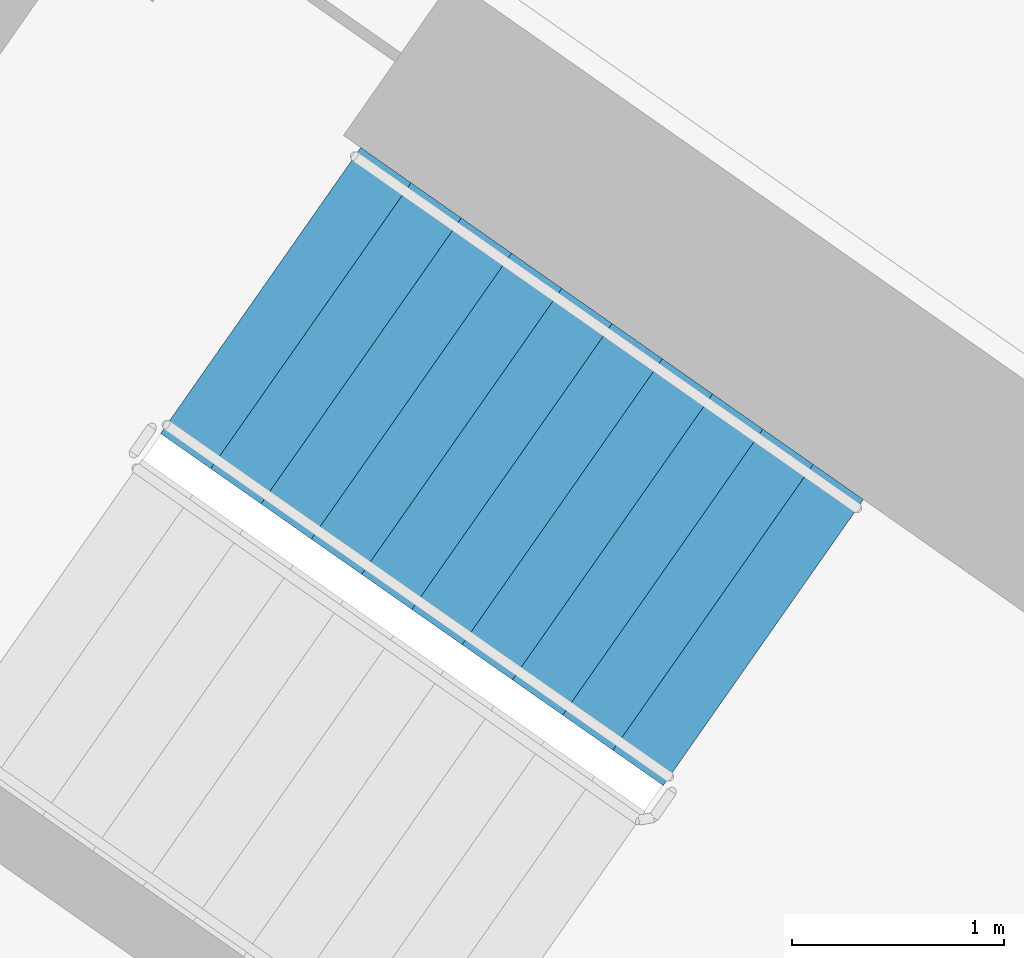
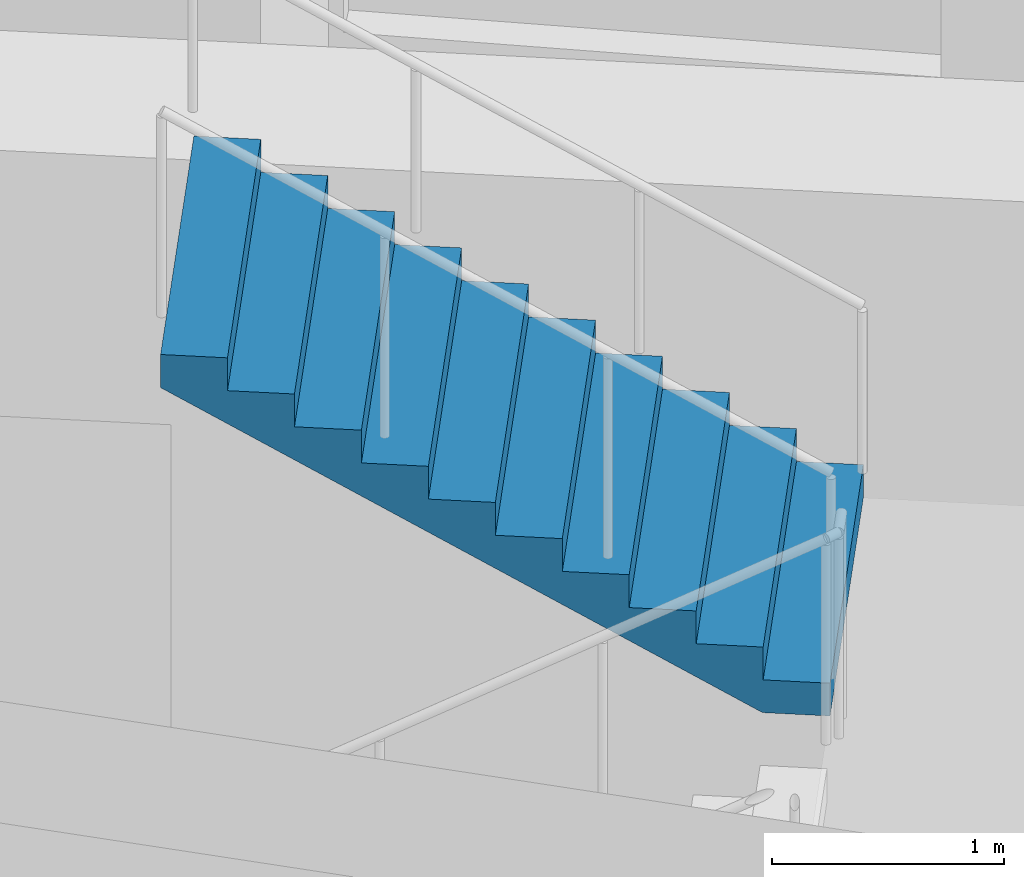
# One storey, part 12 of 29: 1 stair flight, 1 element without a shape of its own.
"""IFC4 building model written with IfcOpenShell, lengths in metres."""

from ifc_helpers import new_model, si_unit, direction, frame, origin, place, context, subcontext, project, spatial, faceted_brep, material, type_object, element, aggregate, save


model = new_model("IFC4")

# Units and contexts
model_context = context("Model", 3, precision=1e-05, world=origin(), true_north=direction((0.0, 1.0)))
body_context = subcontext(model_context, "Body", "Model", "MODEL_VIEW")
ifc_project = project(units=[si_unit("LENGTHUNIT", "METRE"), si_unit("AREAUNIT", "SQUARE_METRE"), si_unit("VOLUMEUNIT", "CUBIC_METRE"), si_unit("PLANEANGLEUNIT", "RADIAN"), si_unit("MASSUNIT", "GRAM", prefix="KILO")], contexts=[model_context])

# Site, building, storey
site_placement = place(None, origin())
site = spatial("IfcSite", under=ifc_project, at=site_placement, CompositionType="ELEMENT")
building_placement = place(site_placement, origin())
building = spatial("IfcBuilding", under=site, at=building_placement, Name="Qamariyya Broadcast Tower", CompositionType="ELEMENT")
storey_placement = place(building_placement, frame((0.0, 0.0, 132.89990234375)))
storey = spatial("IfcBuildingStorey", under=building, at=storey_placement, Name="L30", CompositionType="ELEMENT", Elevation=132.89990234375)

# Stair, stair flight
ifc_material = material(Name="Concrete C50/60", Category="concrete")
stair_type = type_object("IfcStairType", Name="Exit stair 22 risers of 173 mm", PredefinedType="HALF_TURN_STAIR", material=ifc_material)
stair_placement = place(storey_placement, origin())
stair = element("IfcStair", 1, at=stair_placement, inside=storey, type_object=stair_type, Name="L30 Stair W2", PredefinedType="HALF_TURN_STAIR")
stair_flight_type = type_object("IfcStairFlightType", Name="Exit stair flight 11 risers of 173 mm", PredefinedType="STRAIGHT", material=ifc_material)
stair_flight_placement = place(storey_placement, frame((-38.18310546875, -49.3486328125, 1.900146484375), z_axis=(0.0, 0.0, 1.0), x_axis=(-0.819152044289, 0.573576436351, 0.0)))
stair_flight = element("IfcStairFlight", 2, at=stair_flight_placement, type_object=stair_flight_type, Name="ST-W2 flight 2", NumberOfRisers=11, NumberOfTreads=10, PredefinedType="STRAIGHT", RiserHeight=0.172727273, TreadLength=0.29, context=body_context, shape_type="Brep", body=[
    faceted_brep([(0.0, 0.824951171875, 0.0), (0.0, 0.824951171875, 0.172607421875), (0.2900390625, 0.824951171875, 0.172607421875), (0.2900390625, 0.824951171875, 0.345458984375), (0.580078125, 0.824951171875, 0.345458984375), (0.580078125, 0.824951171875, 0.51806640625), (0.8701171875, 0.824951171875, 0.51806640625), (0.8701171875, 0.824951171875, 0.69091796875), (1.159912109375, 0.824951171875, 0.69091796875), (1.159912109375, 0.824951171875, 0.863525390625), (1.449951171875, 0.824951171875, 0.863525390625), (1.449951171875, 0.824951171875, 1.036376953125), (1.739990234375, 0.824951171875, 1.036376953125), (1.739990234375, 0.824951171875, 1.208984375), (2.030029296875, 0.824951171875, 1.208984375), (2.030029296875, 0.824951171875, 1.3818359375), (2.320068359375, 0.824951171875, 1.3818359375), (2.320068359375, 0.824951171875, 1.554443359375), (2.610107421875, 0.824951171875, 1.554443359375), (2.610107421875, 0.824951171875, 1.727294921875), (2.89990234375, 0.824951171875, 1.727294921875), (2.89990234375, 0.824951171875, 1.552734375), (0.29296875, 0.824951171875, 0.0), (0.29296875, -0.824951171875, 0.0), (2.89990234375, -0.824951171875, 1.552734375), (2.89990234375, -0.824951171875, 1.727294921875), (2.610107421875, -0.824951171875, 1.727294921875), (2.610107421875, -0.824951171875, 1.554443359375), (2.320068359375, -0.824951171875, 1.554443359375), (2.320068359375, -0.824951171875, 1.3818359375), (2.030029296875, -0.824951171875, 1.3818359375), (2.030029296875, -0.824951171875, 1.208984375), (1.739990234375, -0.824951171875, 1.208984375), (1.739990234375, -0.824951171875, 1.036376953125), (1.449951171875, -0.824951171875, 1.036376953125), (1.449951171875, -0.824951171875, 0.863525390625), (1.159912109375, -0.824951171875, 0.863525390625), (1.159912109375, -0.824951171875, 0.69091796875), (0.8701171875, -0.824951171875, 0.69091796875), (0.8701171875, -0.824951171875, 0.51806640625), (0.580078125, -0.824951171875, 0.51806640625), (0.580078125, -0.824951171875, 0.345458984375), (0.2900390625, -0.824951171875, 0.345458984375), (0.2900390625, -0.824951171875, 0.172607421875), (0.0, -0.824951171875, 0.172607421875), (0.0, -0.824951171875, 0.0), (0.0, 0.10009765625, 0.0), (0.0, 0.086669921875, 0.0), (0.0, 0.0732421875, 0.0), (0.0, 0.06005859375, 0.0), (0.0, 0.046630859375, 0.0), (0.0, 0.033447265625, 0.0), (0.0, 0.02001953125, 0.0), (0.0, 0.006591796875, 0.0), (0.0, -0.006591796875, 0.0), (0.0, -0.02001953125, 0.0), (0.0, -0.033447265625, 0.0), (0.0, -0.046630859375, 0.0), (0.0, -0.06005859375, 0.0), (0.0, -0.0732421875, 0.0), (0.0, -0.086669921875, 0.0), (0.0, -0.10009765625, 0.0), (0.0, -0.10009765625, 0.172607421875), (0.0, -0.086669921875, 0.172607421875), (0.0, -0.0732421875, 0.172607421875), (0.0, -0.06005859375, 0.172607421875), (0.0, -0.046630859375, 0.172607421875), (0.0, -0.033447265625, 0.172607421875), (0.0, -0.02001953125, 0.172607421875), (0.0, -0.006591796875, 0.172607421875), (0.0, 0.006591796875, 0.172607421875), (0.0, 0.02001953125, 0.172607421875), (0.0, 0.033447265625, 0.172607421875), (0.0, 0.046630859375, 0.172607421875), (0.0, 0.06005859375, 0.172607421875), (0.0, 0.0732421875, 0.172607421875), (0.0, 0.086669921875, 0.172607421875), (0.0, 0.10009765625, 0.172607421875), (0.2900390625, -0.10009765625, 0.172607421875), (0.2900390625, -0.086669921875, 0.172607421875), (0.2900390625, -0.0732421875, 0.172607421875), (0.2900390625, -0.06005859375, 0.172607421875), (0.2900390625, -0.046630859375, 0.172607421875), (0.2900390625, -0.033447265625, 0.172607421875), (0.2900390625, -0.02001953125, 0.172607421875), (0.2900390625, -0.006591796875, 0.172607421875), (0.2900390625, 0.006591796875, 0.172607421875), (0.2900390625, 0.02001953125, 0.172607421875), (0.2900390625, 0.033447265625, 0.172607421875), (0.2900390625, 0.046630859375, 0.172607421875), (0.2900390625, 0.06005859375, 0.172607421875), (0.2900390625, 0.0732421875, 0.172607421875), (0.2900390625, 0.086669921875, 0.172607421875), (0.2900390625, 0.10009765625, 0.172607421875), (0.2900390625, -0.10009765625, 0.345458984375), (0.2900390625, -0.086669921875, 0.345458984375), (0.2900390625, -0.0732421875, 0.345458984375), (0.2900390625, -0.06005859375, 0.345458984375), (0.2900390625, -0.046630859375, 0.345458984375), (0.2900390625, -0.033447265625, 0.345458984375), (0.2900390625, -0.02001953125, 0.345458984375), (0.2900390625, -0.006591796875, 0.345458984375), (0.2900390625, 0.006591796875, 0.345458984375), (0.2900390625, 0.02001953125, 0.345458984375), (0.2900390625, 0.033447265625, 0.345458984375), (0.2900390625, 0.046630859375, 0.345458984375), (0.2900390625, 0.06005859375, 0.345458984375), (0.2900390625, 0.0732421875, 0.345458984375), (0.2900390625, 0.086669921875, 0.345458984375), (0.2900390625, 0.10009765625, 0.345458984375), (0.580078125, -0.10009765625, 0.345458984375), (0.580078125, -0.086669921875, 0.345458984375), (0.580078125, -0.0732421875, 0.345458984375), (0.580078125, -0.06005859375, 0.345458984375), (0.580078125, -0.046630859375, 0.345458984375), (0.580078125, -0.033447265625, 0.345458984375), (0.580078125, -0.02001953125, 0.345458984375), (0.580078125, -0.006591796875, 0.345458984375), (0.580078125, 0.006591796875, 0.345458984375), (0.580078125, 0.02001953125, 0.345458984375), (0.580078125, 0.033447265625, 0.345458984375), (0.580078125, 0.046630859375, 0.345458984375), (0.580078125, 0.06005859375, 0.345458984375), (0.580078125, 0.0732421875, 0.345458984375), (0.580078125, 0.086669921875, 0.345458984375), (0.580078125, 0.10009765625, 0.345458984375), (0.580078125, -0.10009765625, 0.51806640625), (0.580078125, -0.086669921875, 0.51806640625), (0.580078125, -0.0732421875, 0.51806640625), (0.580078125, -0.06005859375, 0.51806640625), (0.580078125, -0.046630859375, 0.51806640625), (0.580078125, -0.033447265625, 0.51806640625), (0.580078125, -0.02001953125, 0.51806640625), (0.580078125, -0.006591796875, 0.51806640625), (0.580078125, 0.006591796875, 0.51806640625), (0.580078125, 0.02001953125, 0.51806640625), (0.580078125, 0.033447265625, 0.51806640625), (0.580078125, 0.046630859375, 0.51806640625), (0.580078125, 0.06005859375, 0.51806640625), (0.580078125, 0.0732421875, 0.51806640625), (0.580078125, 0.086669921875, 0.51806640625), (0.580078125, 0.10009765625, 0.51806640625), (0.8701171875, -0.10009765625, 0.51806640625), (0.8701171875, -0.086669921875, 0.51806640625), (0.8701171875, -0.0732421875, 0.51806640625), (0.8701171875, -0.06005859375, 0.51806640625), (0.8701171875, -0.046630859375, 0.51806640625), (0.8701171875, -0.033447265625, 0.51806640625), (0.8701171875, -0.02001953125, 0.51806640625), (0.8701171875, -0.006591796875, 0.51806640625), (0.8701171875, 0.006591796875, 0.51806640625), (0.8701171875, 0.02001953125, 0.51806640625), (0.8701171875, 0.033447265625, 0.51806640625), (0.8701171875, 0.046630859375, 0.51806640625), (0.8701171875, 0.06005859375, 0.51806640625), (0.8701171875, 0.0732421875, 0.51806640625), (0.8701171875, 0.086669921875, 0.51806640625), (0.8701171875, 0.10009765625, 0.51806640625), (0.8701171875, -0.10009765625, 0.69091796875), (0.8701171875, -0.086669921875, 0.69091796875), (0.8701171875, -0.0732421875, 0.69091796875), (0.8701171875, -0.06005859375, 0.69091796875), (0.8701171875, -0.046630859375, 0.69091796875), (0.8701171875, -0.033447265625, 0.69091796875), (0.8701171875, -0.02001953125, 0.69091796875), (0.8701171875, -0.006591796875, 0.69091796875), (0.8701171875, 0.006591796875, 0.69091796875), (0.8701171875, 0.02001953125, 0.69091796875), (0.8701171875, 0.033447265625, 0.69091796875), (0.8701171875, 0.046630859375, 0.69091796875), (0.8701171875, 0.06005859375, 0.69091796875), (0.8701171875, 0.0732421875, 0.69091796875), (0.8701171875, 0.086669921875, 0.69091796875), (0.8701171875, 0.10009765625, 0.69091796875), (1.159912109375, -0.10009765625, 0.69091796875), (1.159912109375, -0.086669921875, 0.69091796875), (1.159912109375, -0.0732421875, 0.69091796875), (1.159912109375, -0.06005859375, 0.69091796875), (1.159912109375, -0.046630859375, 0.69091796875), (1.159912109375, -0.033447265625, 0.69091796875), (1.159912109375, -0.02001953125, 0.69091796875), (1.159912109375, -0.006591796875, 0.69091796875), (1.159912109375, 0.006591796875, 0.69091796875), (1.159912109375, 0.02001953125, 0.69091796875), (1.159912109375, 0.033447265625, 0.69091796875), (1.159912109375, 0.046630859375, 0.69091796875), (1.159912109375, 0.06005859375, 0.69091796875), (1.159912109375, 0.0732421875, 0.69091796875), (1.159912109375, 0.086669921875, 0.69091796875), (1.159912109375, 0.10009765625, 0.69091796875), (1.159912109375, -0.10009765625, 0.863525390625), (1.159912109375, -0.086669921875, 0.863525390625), (1.159912109375, -0.0732421875, 0.863525390625), (1.159912109375, -0.06005859375, 0.863525390625), (1.159912109375, -0.046630859375, 0.863525390625), (1.159912109375, -0.033447265625, 0.863525390625), (1.159912109375, -0.02001953125, 0.863525390625), (1.159912109375, -0.006591796875, 0.863525390625), (1.159912109375, 0.006591796875, 0.863525390625), (1.159912109375, 0.02001953125, 0.863525390625), (1.159912109375, 0.033447265625, 0.863525390625), (1.159912109375, 0.046630859375, 0.863525390625), (1.159912109375, 0.06005859375, 0.863525390625), (1.159912109375, 0.0732421875, 0.863525390625), (1.159912109375, 0.086669921875, 0.863525390625), (1.159912109375, 0.10009765625, 0.863525390625), (1.449951171875, -0.10009765625, 0.863525390625), (1.449951171875, -0.086669921875, 0.863525390625), (1.449951171875, -0.0732421875, 0.863525390625), (1.449951171875, -0.06005859375, 0.863525390625), (1.449951171875, -0.046630859375, 0.863525390625), (1.449951171875, -0.033447265625, 0.863525390625), (1.449951171875, -0.02001953125, 0.863525390625), (1.449951171875, -0.006591796875, 0.863525390625), (1.449951171875, 0.006591796875, 0.863525390625), (1.449951171875, 0.02001953125, 0.863525390625), (1.449951171875, 0.033447265625, 0.863525390625), (1.449951171875, 0.046630859375, 0.863525390625), (1.449951171875, 0.06005859375, 0.863525390625), (1.449951171875, 0.0732421875, 0.863525390625), (1.449951171875, 0.086669921875, 0.863525390625), (1.449951171875, 0.10009765625, 0.863525390625), (1.449951171875, -0.10009765625, 1.036376953125), (1.449951171875, -0.086669921875, 1.036376953125), (1.449951171875, -0.0732421875, 1.036376953125), (1.449951171875, -0.06005859375, 1.036376953125), (1.449951171875, -0.046630859375, 1.036376953125), (1.449951171875, -0.033447265625, 1.036376953125), (1.449951171875, -0.02001953125, 1.036376953125), (1.449951171875, -0.006591796875, 1.036376953125), (1.449951171875, 0.006591796875, 1.036376953125), (1.449951171875, 0.02001953125, 1.036376953125), (1.449951171875, 0.033447265625, 1.036376953125), (1.449951171875, 0.046630859375, 1.036376953125), (1.449951171875, 0.06005859375, 1.036376953125), (1.449951171875, 0.0732421875, 1.036376953125), (1.449951171875, 0.086669921875, 1.036376953125), (1.449951171875, 0.10009765625, 1.036376953125), (1.739990234375, -0.10009765625, 1.036376953125), (1.739990234375, -0.086669921875, 1.036376953125), (1.739990234375, -0.0732421875, 1.036376953125), (1.739990234375, -0.06005859375, 1.036376953125), (1.739990234375, -0.046630859375, 1.036376953125), (1.739990234375, -0.033447265625, 1.036376953125), (1.739990234375, -0.02001953125, 1.036376953125), (1.739990234375, -0.006591796875, 1.036376953125), (1.739990234375, 0.006591796875, 1.036376953125), (1.739990234375, 0.02001953125, 1.036376953125), (1.739990234375, 0.033447265625, 1.036376953125), (1.739990234375, 0.046630859375, 1.036376953125), (1.739990234375, 0.06005859375, 1.036376953125), (1.739990234375, 0.0732421875, 1.036376953125), (1.739990234375, 0.086669921875, 1.036376953125), (1.739990234375, 0.10009765625, 1.036376953125), (1.739990234375, -0.10009765625, 1.208984375), (1.739990234375, -0.086669921875, 1.208984375), (1.739990234375, -0.0732421875, 1.208984375), (1.739990234375, -0.06005859375, 1.208984375), (1.739990234375, -0.046630859375, 1.208984375), (1.739990234375, -0.033447265625, 1.208984375), (1.739990234375, -0.02001953125, 1.208984375), (1.739990234375, -0.006591796875, 1.208984375), (1.739990234375, 0.006591796875, 1.208984375), (1.739990234375, 0.02001953125, 1.208984375), (1.739990234375, 0.033447265625, 1.208984375), (1.739990234375, 0.046630859375, 1.208984375), (1.739990234375, 0.06005859375, 1.208984375), (1.739990234375, 0.0732421875, 1.208984375), (1.739990234375, 0.086669921875, 1.208984375), (1.739990234375, 0.10009765625, 1.208984375), (2.030029296875, -0.10009765625, 1.208984375), (2.030029296875, -0.086669921875, 1.208984375), (2.030029296875, -0.0732421875, 1.208984375), (2.030029296875, -0.06005859375, 1.208984375), (2.030029296875, -0.046630859375, 1.208984375), (2.030029296875, -0.033447265625, 1.208984375), (2.030029296875, -0.02001953125, 1.208984375), (2.030029296875, -0.006591796875, 1.208984375), (2.030029296875, 0.006591796875, 1.208984375), (2.030029296875, 0.02001953125, 1.208984375), (2.030029296875, 0.033447265625, 1.208984375), (2.030029296875, 0.046630859375, 1.208984375), (2.030029296875, 0.06005859375, 1.208984375), (2.030029296875, 0.0732421875, 1.208984375), (2.030029296875, 0.086669921875, 1.208984375), (2.030029296875, 0.10009765625, 1.208984375), (2.030029296875, -0.10009765625, 1.3818359375), (2.030029296875, -0.086669921875, 1.3818359375), (2.030029296875, -0.0732421875, 1.3818359375), (2.030029296875, -0.06005859375, 1.3818359375), (2.030029296875, -0.046630859375, 1.3818359375), (2.030029296875, -0.033447265625, 1.3818359375), (2.030029296875, -0.02001953125, 1.3818359375), (2.030029296875, -0.006591796875, 1.3818359375), (2.030029296875, 0.006591796875, 1.3818359375), (2.030029296875, 0.02001953125, 1.3818359375), (2.030029296875, 0.033447265625, 1.3818359375), (2.030029296875, 0.046630859375, 1.3818359375), (2.030029296875, 0.06005859375, 1.3818359375), (2.030029296875, 0.0732421875, 1.3818359375), (2.030029296875, 0.086669921875, 1.3818359375), (2.030029296875, 0.10009765625, 1.3818359375), (2.320068359375, -0.10009765625, 1.3818359375), (2.320068359375, -0.086669921875, 1.3818359375), (2.320068359375, -0.0732421875, 1.3818359375), (2.320068359375, -0.06005859375, 1.3818359375), (2.320068359375, -0.046630859375, 1.3818359375), (2.320068359375, -0.033447265625, 1.3818359375), (2.320068359375, -0.02001953125, 1.3818359375), (2.320068359375, -0.006591796875, 1.3818359375), (2.320068359375, 0.006591796875, 1.3818359375), (2.320068359375, 0.02001953125, 1.3818359375), (2.320068359375, 0.033447265625, 1.3818359375), (2.320068359375, 0.046630859375, 1.3818359375), (2.320068359375, 0.06005859375, 1.3818359375), (2.320068359375, 0.0732421875, 1.3818359375), (2.320068359375, 0.086669921875, 1.3818359375), (2.320068359375, 0.10009765625, 1.3818359375), (2.320068359375, -0.10009765625, 1.554443359375), (2.320068359375, -0.086669921875, 1.554443359375), (2.320068359375, -0.0732421875, 1.554443359375), (2.320068359375, -0.06005859375, 1.554443359375), (2.320068359375, -0.046630859375, 1.554443359375), (2.320068359375, -0.033447265625, 1.554443359375), (2.320068359375, -0.02001953125, 1.554443359375), (2.320068359375, -0.006591796875, 1.554443359375), (2.320068359375, 0.006591796875, 1.554443359375), (2.320068359375, 0.02001953125, 1.554443359375), (2.320068359375, 0.033447265625, 1.554443359375), (2.320068359375, 0.046630859375, 1.554443359375), (2.320068359375, 0.06005859375, 1.554443359375), (2.320068359375, 0.0732421875, 1.554443359375), (2.320068359375, 0.086669921875, 1.554443359375), (2.320068359375, 0.10009765625, 1.554443359375), (2.610107421875, -0.10009765625, 1.554443359375), (2.610107421875, -0.086669921875, 1.554443359375), (2.610107421875, -0.0732421875, 1.554443359375), (2.610107421875, -0.06005859375, 1.554443359375), (2.610107421875, -0.046630859375, 1.554443359375), (2.610107421875, -0.033447265625, 1.554443359375), (2.610107421875, -0.02001953125, 1.554443359375), (2.610107421875, -0.006591796875, 1.554443359375), (2.610107421875, 0.006591796875, 1.554443359375), (2.610107421875, 0.02001953125, 1.554443359375), (2.610107421875, 0.033447265625, 1.554443359375), (2.610107421875, 0.046630859375, 1.554443359375), (2.610107421875, 0.06005859375, 1.554443359375), (2.610107421875, 0.0732421875, 1.554443359375), (2.610107421875, 0.086669921875, 1.554443359375), (2.610107421875, 0.10009765625, 1.554443359375), (2.610107421875, -0.10009765625, 1.727294921875), (2.610107421875, -0.086669921875, 1.727294921875), (2.610107421875, -0.0732421875, 1.727294921875), (2.610107421875, -0.06005859375, 1.727294921875), (2.610107421875, -0.046630859375, 1.727294921875), (2.610107421875, -0.033447265625, 1.727294921875), (2.610107421875, -0.02001953125, 1.727294921875), (2.610107421875, -0.006591796875, 1.727294921875), (2.610107421875, 0.006591796875, 1.727294921875), (2.610107421875, 0.02001953125, 1.727294921875), (2.610107421875, 0.033447265625, 1.727294921875), (2.610107421875, 0.046630859375, 1.727294921875), (2.610107421875, 0.06005859375, 1.727294921875), (2.610107421875, 0.0732421875, 1.727294921875), (2.610107421875, 0.086669921875, 1.727294921875), (2.610107421875, 0.10009765625, 1.727294921875), (2.89990234375, -0.10009765625, 1.727294921875), (2.89990234375, -0.086669921875, 1.727294921875), (2.89990234375, -0.0732421875, 1.727294921875), (2.89990234375, -0.06005859375, 1.727294921875), (2.89990234375, -0.046630859375, 1.727294921875), (2.89990234375, -0.033447265625, 1.727294921875), (2.89990234375, -0.02001953125, 1.727294921875), (2.89990234375, -0.006591796875, 1.727294921875), (2.89990234375, 0.006591796875, 1.727294921875), (2.89990234375, 0.02001953125, 1.727294921875), (2.89990234375, 0.033447265625, 1.727294921875), (2.89990234375, 0.046630859375, 1.727294921875), (2.89990234375, 0.06005859375, 1.727294921875), (2.89990234375, 0.0732421875, 1.727294921875), (2.89990234375, 0.086669921875, 1.727294921875), (2.89990234375, 0.10009765625, 1.727294921875), (2.89990234375, -0.10009765625, 1.552734375), (2.89990234375, -0.086669921875, 1.552734375), (2.89990234375, -0.0732421875, 1.552734375), (2.89990234375, -0.06005859375, 1.552734375), (2.89990234375, -0.046630859375, 1.552734375), (2.89990234375, -0.033447265625, 1.552734375), (2.89990234375, -0.02001953125, 1.552734375), (2.89990234375, -0.006591796875, 1.552734375), (2.89990234375, 0.006591796875, 1.552734375), (2.89990234375, 0.02001953125, 1.552734375), (2.89990234375, 0.033447265625, 1.552734375), (2.89990234375, 0.046630859375, 1.552734375), (2.89990234375, 0.06005859375, 1.552734375), (2.89990234375, 0.0732421875, 1.552734375), (2.89990234375, 0.086669921875, 1.552734375), (2.89990234375, 0.10009765625, 1.552734375), (0.29296875, -0.10009765625, 0.0), (0.29296875, -0.086669921875, 0.0), (0.29296875, -0.0732421875, 0.0), (0.29296875, -0.06005859375, 0.0), (0.29296875, -0.046630859375, 0.0), (0.29296875, -0.033447265625, 0.0), (0.29296875, -0.02001953125, 0.0), (0.29296875, -0.006591796875, 0.0), (0.29296875, 0.006591796875, 0.0), (0.29296875, 0.02001953125, 0.0), (0.29296875, 0.033447265625, 0.0), (0.29296875, 0.046630859375, 0.0), (0.29296875, 0.06005859375, 0.0), (0.29296875, 0.0732421875, 0.0), (0.29296875, 0.086669921875, 0.0), (0.29296875, 0.10009765625, 0.0)], [[[0, 1, 2, 3, 4, 5, 6, 7, 8, 9, 10, 11, 12, 13, 14, 15, 16, 17, 18, 19, 20, 21, 22]], [[23, 24, 25, 26, 27, 28, 29, 30, 31, 32, 33, 34, 35, 36, 37, 38, 39, 40, 41, 42, 43, 44, 45]], [[0, 46, 47, 48, 49, 50, 51, 52, 53, 54, 55, 56, 57, 58, 59, 60, 61, 45, 44, 62, 63, 64, 65, 66, 67, 68, 69, 70, 71, 72, 73, 74, 75, 76, 77, 1]], [[1, 77, 76, 75, 74, 73, 72, 71, 70, 69, 68, 67, 66, 65, 64, 63, 62, 44, 43, 78, 79, 80, 81, 82, 83, 84, 85, 86, 87, 88, 89, 90, 91, 92, 93, 2]], [[2, 93, 92, 91, 90, 89, 88, 87, 86, 85, 84, 83, 82, 81, 80, 79, 78, 43, 42, 94, 95, 96, 97, 98, 99, 100, 101, 102, 103, 104, 105, 106, 107, 108, 109, 3]], [[3, 109, 108, 107, 106, 105, 104, 103, 102, 101, 100, 99, 98, 97, 96, 95, 94, 42, 41, 110, 111, 112, 113, 114, 115, 116, 117, 118, 119, 120, 121, 122, 123, 124, 125, 4]], [[4, 125, 124, 123, 122, 121, 120, 119, 118, 117, 116, 115, 114, 113, 112, 111, 110, 41, 40, 126, 127, 128, 129, 130, 131, 132, 133, 134, 135, 136, 137, 138, 139, 140, 141, 5]], [[5, 141, 140, 139, 138, 137, 136, 135, 134, 133, 132, 131, 130, 129, 128, 127, 126, 40, 39, 142, 143, 144, 145, 146, 147, 148, 149, 150, 151, 152, 153, 154, 155, 156, 157, 6]], [[6, 157, 156, 155, 154, 153, 152, 151, 150, 149, 148, 147, 146, 145, 144, 143, 142, 39, 38, 158, 159, 160, 161, 162, 163, 164, 165, 166, 167, 168, 169, 170, 171, 172, 173, 7]], [[7, 173, 172, 171, 170, 169, 168, 167, 166, 165, 164, 163, 162, 161, 160, 159, 158, 38, 37, 174, 175, 176, 177, 178, 179, 180, 181, 182, 183, 184, 185, 186, 187, 188, 189, 8]], [[8, 189, 188, 187, 186, 185, 184, 183, 182, 181, 180, 179, 178, 177, 176, 175, 174, 37, 36, 190, 191, 192, 193, 194, 195, 196, 197, 198, 199, 200, 201, 202, 203, 204, 205, 9]], [[9, 205, 204, 203, 202, 201, 200, 199, 198, 197, 196, 195, 194, 193, 192, 191, 190, 36, 35, 206, 207, 208, 209, 210, 211, 212, 213, 214, 215, 216, 217, 218, 219, 220, 221, 10]], [[10, 221, 220, 219, 218, 217, 216, 215, 214, 213, 212, 211, 210, 209, 208, 207, 206, 35, 34, 222, 223, 224, 225, 226, 227, 228, 229, 230, 231, 232, 233, 234, 235, 236, 237, 11]], [[11, 237, 236, 235, 234, 233, 232, 231, 230, 229, 228, 227, 226, 225, 224, 223, 222, 34, 33, 238, 239, 240, 241, 242, 243, 244, 245, 246, 247, 248, 249, 250, 251, 252, 253, 12]], [[12, 253, 252, 251, 250, 249, 248, 247, 246, 245, 244, 243, 242, 241, 240, 239, 238, 33, 32, 254, 255, 256, 257, 258, 259, 260, 261, 262, 263, 264, 265, 266, 267, 268, 269, 13]], [[13, 269, 268, 267, 266, 265, 264, 263, 262, 261, 260, 259, 258, 257, 256, 255, 254, 32, 31, 270, 271, 272, 273, 274, 275, 276, 277, 278, 279, 280, 281, 282, 283, 284, 285, 14]], [[14, 285, 284, 283, 282, 281, 280, 279, 278, 277, 276, 275, 274, 273, 272, 271, 270, 31, 30, 286, 287, 288, 289, 290, 291, 292, 293, 294, 295, 296, 297, 298, 299, 300, 301, 15]], [[15, 301, 300, 299, 298, 297, 296, 295, 294, 293, 292, 291, 290, 289, 288, 287, 286, 30, 29, 302, 303, 304, 305, 306, 307, 308, 309, 310, 311, 312, 313, 314, 315, 316, 317, 16]], [[16, 317, 316, 315, 314, 313, 312, 311, 310, 309, 308, 307, 306, 305, 304, 303, 302, 29, 28, 318, 319, 320, 321, 322, 323, 324, 325, 326, 327, 328, 329, 330, 331, 332, 333, 17]], [[17, 333, 332, 331, 330, 329, 328, 327, 326, 325, 324, 323, 322, 321, 320, 319, 318, 28, 27, 334, 335, 336, 337, 338, 339, 340, 341, 342, 343, 344, 345, 346, 347, 348, 349, 18]], [[18, 349, 348, 347, 346, 345, 344, 343, 342, 341, 340, 339, 338, 337, 336, 335, 334, 27, 26, 350, 351, 352, 353, 354, 355, 356, 357, 358, 359, 360, 361, 362, 363, 364, 365, 19]], [[19, 365, 364, 363, 362, 361, 360, 359, 358, 357, 356, 355, 354, 353, 352, 351, 350, 26, 25, 366, 367, 368, 369, 370, 371, 372, 373, 374, 375, 376, 377, 378, 379, 380, 381, 20]], [[20, 381, 380, 379, 378, 377, 376, 375, 374, 373, 372, 371, 370, 369, 368, 367, 366, 25, 24, 382, 383, 384, 385, 386, 387, 388, 389, 390, 391, 392, 393, 394, 395, 396, 397, 21]], [[21, 397, 396, 395, 394, 393, 392, 391, 390, 389, 388, 387, 386, 385, 384, 383, 382, 24, 23, 398, 399, 400, 401, 402, 403, 404, 405, 406, 407, 408, 409, 410, 411, 412, 413, 22]], [[22, 413, 412, 411, 410, 409, 408, 407, 406, 405, 404, 403, 402, 401, 400, 399, 398, 23, 45, 61, 60, 59, 58, 57, 56, 55, 54, 53, 52, 51, 50, 49, 48, 47, 46, 0]]]),
])
aggregate(stair, [stair_flight])

save(model, "model.ifc")
